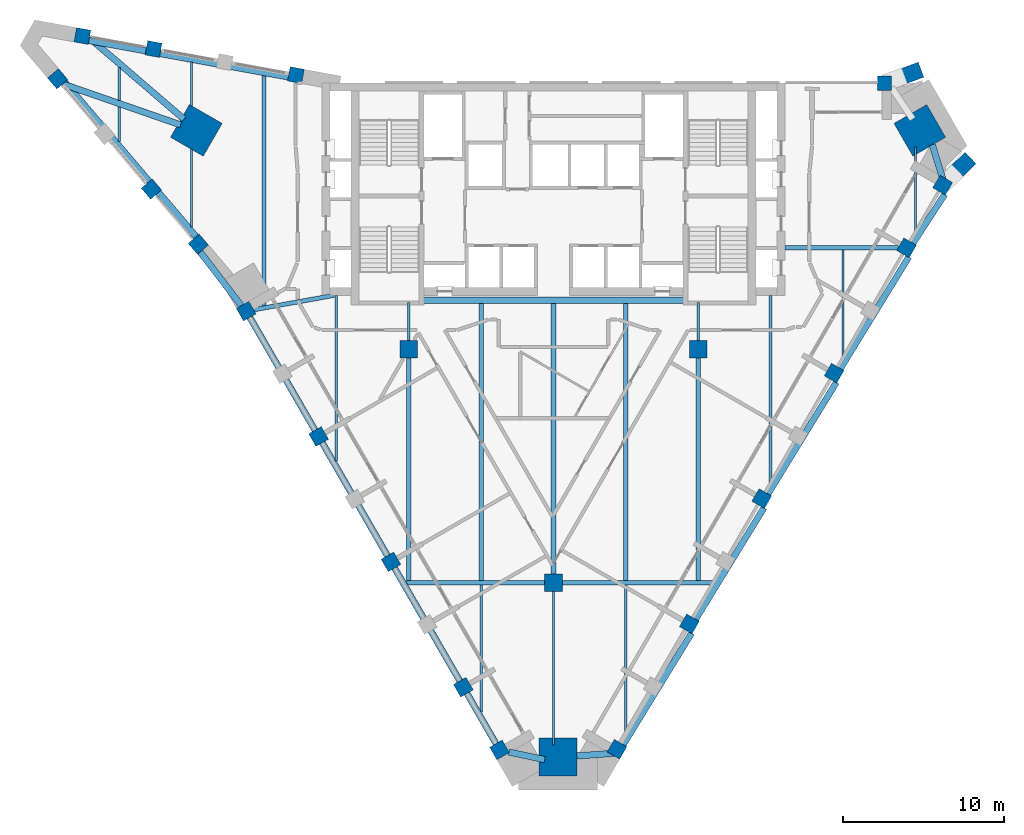
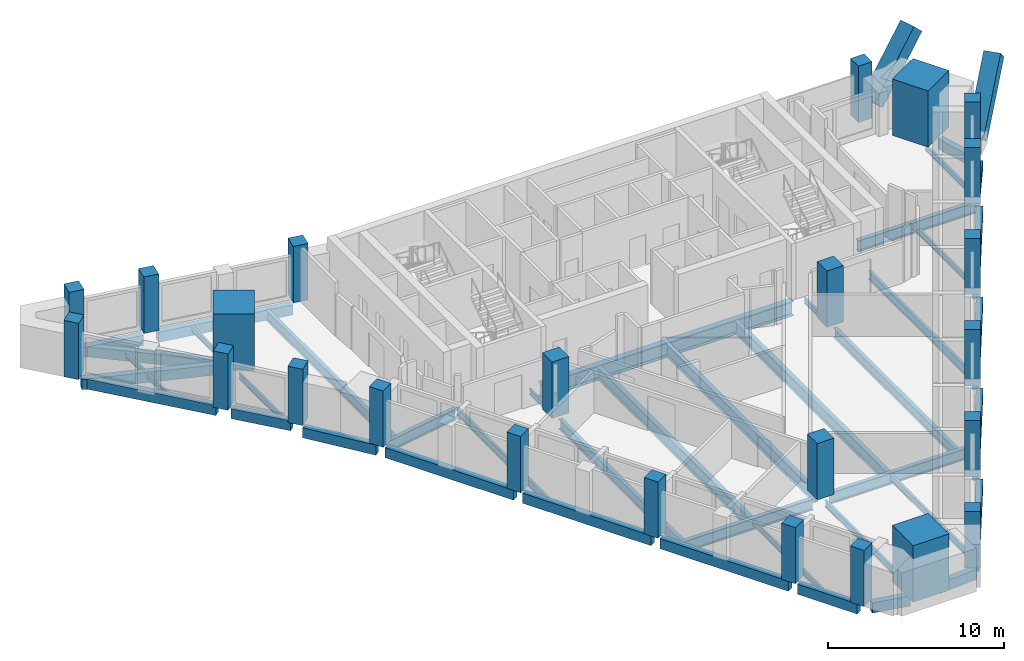
# One storey, part 1 of 9: 43 beams, 26 columns.
"""IFC4 building model written with IfcOpenShell, lengths in metres."""

from ifc_helpers import new_model, si_unit, direction, frame, origin, origin_2d, place, context, subcontext, project, spatial, rectangle, i_section, extrude, material, material_profile, profile_set, type_object, element, save


model = new_model("IFC4")

# Units and contexts
model_context = context("Model", 3, precision=1e-05, world=origin(), true_north=direction((0.0, 1.0)))
body_context = subcontext(model_context, "Body", "Model", "MODEL_VIEW")
ifc_project = project(units=[si_unit("LENGTHUNIT", "METRE"), si_unit("AREAUNIT", "SQUARE_METRE"), si_unit("VOLUMEUNIT", "CUBIC_METRE"), si_unit("PLANEANGLEUNIT", "RADIAN"), si_unit("MASSUNIT", "GRAM", prefix="KILO")], contexts=[model_context])

# Site, building, storey
site_placement = place(None, origin())
site = spatial("IfcSite", under=ifc_project, at=site_placement, CompositionType="ELEMENT")
building_placement = place(site_placement, origin())
building = spatial("IfcBuilding", under=site, at=building_placement, Name="Calabash Gate Tower", CompositionType="ELEMENT")
storey_placement = place(building_placement, frame((0.0, 0.0, 231.5)))
storey = spatial("IfcBuildingStorey", under=building, at=storey_placement, Name="L55", CompositionType="ELEMENT", Elevation=231.5)

# Columns
ifc_material_1 = material(Name="Concrete C60/75", Category="concrete")
ifc_material_profile_1 = material_profile(ifc_material_1, rectangle(XDim=1.10009765625, YDim=1.10009765625, at=origin_2d()))
ifc_profile_set_1 = profile_set([ifc_material_profile_1], Name="Concrete C60/75")
column_type_1 = type_object("IfcColumnType", Name="Interior column RC 1100x1100 Concrete C60/75", PredefinedType="COLUMN", material=ifc_profile_set_1)
for number, where, z_axis, x_axis, name in (
    (1, (-9.0, 2.5, 0.0), (0.0, 0.0, 1.0), (1.0, 0.0, 0.0), "Interior column L55 I0"),
    (2, (9.0, 2.5, 0.0), (0.0, 0.0, 1.0), (1.0, 0.0, 0.0), "Interior column L55 I1"),
    (3, (0.0, -12.0, 0.0), (0.0, 0.0, 1.0), (1.0, 0.0, 0.0), "Interior column L55 I2"),
):
    element("IfcColumn", number, at=place(storey_placement, frame(where, z_axis=z_axis, x_axis=x_axis)), inside=storey, type_object=column_type_1, Name=name, PredefinedType="COLUMN", context=body_context, shape_type="SweptSolid", body=[
        extrude(rectangle(XDim=1.10009765625, YDim=1.10009765625, at=origin_2d()), origin(), (0.0, 0.0, 1.0), 3.89990234375),
    ])
ifc_material_2 = material(Name="Concrete C70/85", Category="concrete")
ifc_material_profile_2 = material_profile(ifc_material_2, rectangle(XDim=2.35009765625, YDim=2.35009765625, at=origin_2d()))
ifc_profile_set_2 = profile_set([ifc_material_profile_2], Name="Concrete C70/85")
column_type_2 = type_object("IfcColumnType", Name="Mega column RC 2350x2350 Concrete C70/85", PredefinedType="COLUMN", material=ifc_profile_set_2)
for number, where, z_axis, x_axis, name in (
    (4, (-22.2060546875, 16.116943359375, 0.0), (0.0, 0.0, 1.0), (0.866025412511, -0.499999984885, 0.0), "Mega column L55 NW"),
    (5, (22.77392578125, 16.116943359375, 0.0), (0.0, 0.0, 1.0), (-0.866025412511, -0.499999984885, 0.0), "Mega column L55 NE"),
    (6, (0.283935546875, -22.8369140625, 0.0), (0.0, 0.0, 1.0), (0.0, 1.0, 0.0), "Mega column L55 S"),
):
    element("IfcColumn", number, at=place(storey_placement, frame(where, z_axis=z_axis, x_axis=x_axis)), inside=storey, type_object=column_type_2, Name=name, PredefinedType="COLUMN", context=body_context, shape_type="SweptSolid", body=[
        extrude(rectangle(XDim=2.35009765625, YDim=2.35009765625, at=origin_2d()), origin(), (0.0, 0.0, 1.0), 3.89990234375),
    ])
ifc_material_3 = material(Name="Concrete C60/75", Category="concrete")
ifc_material_profile_3 = material_profile(ifc_material_3, rectangle(XDim=0.89990234375, YDim=0.89990234375, at=origin_2d()))
ifc_profile_set_3 = profile_set([ifc_material_profile_3], Name="Concrete C60/75")
column_type_3 = type_object("IfcColumnType", Name="Perimeter column RC 900x900 Concrete C60/75", PredefinedType="COLUMN", material=ifc_profile_set_3)
for number, where, z_axis, x_axis, name in (
    (7, (-19.10693359375, 4.8779296875, 0.0), (0.0, 0.0, 1.0), (0.5, -0.866025403784, 0.0), "Perimeter column L55 P00"),
    (8, (-14.60693359375, -2.9169921875, 0.0), (0.0, 0.0, 1.0), (0.5, -0.866025403784, 0.0), "Perimeter column L55 P01"),
    (9, (-10.10693359375, -10.7109375, 0.0), (0.0, 0.0, 1.0), (0.5, -0.866025403784, 0.0), "Perimeter column L55 P02"),
    (10, (-5.60693359375, -18.5029296875, 0.0), (0.0, 0.0, 1.0), (0.5, -0.866025403784, 0.0), "Perimeter column L55 P03"),
    (11, (-3.35693359375, -22.402099609375, 0.0), (0.0, 0.0, 1.0), (0.5, -0.866025403784, 0.0), "Perimeter column L55 P25"),
    (12, (3.946044921875, -22.363037109375, 0.0), (0.0, 0.0, 1.0), (0.5, 0.866025403784, 0.0), "Perimeter column L55 P08"),
    (13, (8.446044921875, -14.571044921875, 0.0), (0.0, 0.0, 1.0), (0.5, 0.866025403784, 0.0), "Perimeter column L55 P09"),
    (14, (12.946044921875, -6.77587890625, 0.0), (0.0, 0.0, 1.0), (0.5, 0.866025403784, 0.0), "Perimeter column L55 P10"),
    (15, (17.446044921875, 1.01806640625, 0.0), (0.0, 0.0, 1.0), (0.5, 0.866025403784, 0.0), "Perimeter column L55 P11"),
    (16, (21.946044921875, 8.81201171875, 0.0), (0.0, 0.0, 1.0), (0.5, 0.866025403784, 0.0), "Perimeter column L55 P12"),
    (17, (24.196044921875, 12.708984375, 0.0), (0.0, 0.0, 1.0), (0.5, 0.866025403784, 0.0), "Perimeter column L55 P13"),
    (18, (20.576904296875, 19.052978515625, 0.0), (0.0, 0.0, 1.0), (-1.0, 0.0, 0.0), "Perimeter column L55 P24"),
    (19, (-16.012939453125, 19.551025390625, 0.0), (0.0, 0.0, 1.0), (-0.983669930074, 0.179981856499, 0.0), "Perimeter column L55 P31"),
    (20, (-24.865966796875, 21.1708984375, 0.0), (0.0, 0.0, 1.0), (-0.983669930074, 0.179981856499, 0.0), "Perimeter column L55 P32"),
    (21, (-29.29296875, 21.97998046875, 0.0), (0.0, 0.0, 1.0), (-0.983669930074, 0.179981856499, 0.0), "Perimeter column L55 P33"),
    (22, (-30.827880859375, 19.322021484375, 0.0), (0.0, 0.0, 1.0), (0.647703824985, -0.761892220133, 0.0), "Perimeter column L55 P34"),
    (23, (-24.998046875, 12.467041015625, 0.0), (0.0, 0.0, 1.0), (0.647703824985, -0.761892220133, 0.0), "Perimeter column L55 P20"),
    (24, (-22.083984375, 9.037109375, 0.0), (0.0, 0.0, 1.0), (0.647703824985, -0.761892220133, 0.0), "Perimeter column L55 P35"),
):
    element("IfcColumn", number, at=place(storey_placement, frame(where, z_axis=z_axis, x_axis=x_axis)), inside=storey, type_object=column_type_3, Name=name, PredefinedType="COLUMN", context=body_context, shape_type="SweptSolid", body=[
        extrude(rectangle(XDim=0.89990234375, YDim=0.89990234375, at=origin_2d()), origin(), (0.0, 0.0, 1.0), 3.89990234375),
    ])
ifc_material_4 = material(Name="Concrete C80/95", Category="concrete")
ifc_material_profile_4 = material_profile(ifc_material_4, rectangle(XDim=1.0, YDim=1.0, at=origin_2d()))
ifc_profile_set_4 = profile_set([ifc_material_profile_4], Name="Concrete C80/95")
column_type_4 = type_object("IfcColumnType", Name="Prow kicker column RC 1000x1000 Concrete C80/95", PredefinedType="COLUMN", material=ifc_profile_set_4)
column_1_placement = place(storey_placement, frame((24.864013671875, 13.361083984375, 0.458984375), z_axis=(0.514449156183, 0.501518833954, 0.695572372146), x_axis=(-0.498063349986, -0.485544873614, 0.718456035612)))
element("IfcColumn", 25, at=column_1_placement, inside=storey, type_object=column_type_4, Name="Prow kicker column L55 KP37", PredefinedType="COLUMN", context=body_context, shape_type="SweptSolid", body=[
    extrude(rectangle(XDim=1.0, YDim=1.0, at=origin_2d()), origin(), (0.0, 0.0, 1.0), 4.94677734375),
])
column_2_placement = place(storey_placement, frame((21.47802734375, 19.384033203125, 0.45703125), z_axis=(0.666578557843, 0.245155942303, 0.703968458227), x_axis=(-0.660700706042, -0.242994171151, 0.710231236867)))
element("IfcColumn", 26, at=column_2_placement, inside=storey, type_object=column_type_4, Name="Prow kicker column L55 KP38", PredefinedType="COLUMN", context=body_context, shape_type="SweptSolid", body=[
    extrude(rectangle(XDim=1.0, YDim=1.0, at=origin_2d()), origin(), (0.0, 0.0, 1.0), 4.890625),
])

# Beams
ifc_material_5 = material(Name="Concrete C50/60", Category="concrete")
ifc_material_profile_5 = material_profile(ifc_material_5, rectangle(XDim=0.39990234375, YDim=0.699951171875, at=origin_2d()))
ifc_profile_set_5 = profile_set([ifc_material_profile_5], Name="Concrete C50/60")
beam_type_1 = type_object("IfcBeamType", Name="Edge beam RC 400x700 Concrete C50/60", PredefinedType="BEAM", material=ifc_profile_set_5)
beam_1_placement = place(storey_placement, frame((-14.39306640625, -3.282958984375, -0.52001953125), z_axis=(0.499782711929, -0.86615081877, 0.0), x_axis=(0.86615081877, 0.499782711929, 0.0)))
element("IfcBeam", 27, at=beam_1_placement, inside=storey, type_object=beam_type_1, Name="Edge beam L55 1", PredefinedType="BEAM", context=body_context, shape_type="SweptSolid", body=[
    extrude(rectangle(XDim=0.39990234375, YDim=0.699951171875, at=origin_2d()), origin(), (0.0, 0.0, 1.0), 8.417724609375),
])
beam_2_placement = place(storey_placement, frame((-9.89306640625, -11.0791015625, -0.52001953125), z_axis=(0.499895729157, -0.866085596215, 0.0), x_axis=(0.866085596215, 0.499895729157, 0.0)))
element("IfcBeam", 28, at=beam_2_placement, inside=storey, type_object=beam_type_1, Name="Edge beam L55 2", PredefinedType="BEAM", context=body_context, shape_type="SweptSolid", body=[
    extrude(rectangle(XDim=0.39990234375, YDim=0.699951171875, at=origin_2d()), origin(), (0.0, 0.0, 1.0), 8.415771484375),
])
beam_3_placement = place(storey_placement, frame((-5.39306640625, -18.873046875, -0.52001953125), z_axis=(0.499976213158, -0.866039136689, 0.0), x_axis=(0.866039136689, 0.499976213158, 0.0)))
element("IfcBeam", 29, at=beam_3_placement, inside=storey, type_object=beam_type_1, Name="Edge beam L55 3", PredefinedType="BEAM", context=body_context, shape_type="SweptSolid", body=[
    extrude(rectangle(XDim=0.39990234375, YDim=0.699951171875, at=origin_2d()), origin(), (0.0, 0.0, 1.0), 3.914306640625),
])
beam_4_placement = place(storey_placement, frame((-2.780029296875, -22.533935546875, -0.52001953125), z_axis=(0.978365528321, -0.206883766868, 0.0), x_axis=(0.206883766868, 0.978365528321, 0.0)))
element("IfcBeam", 30, at=beam_4_placement, inside=storey, type_object=beam_type_1, Name="Edge beam L55 4", PredefinedType="BEAM", context=body_context, shape_type="SweptSolid", body=[
    extrude(rectangle(XDim=0.39990234375, YDim=0.699951171875, at=origin_2d()), origin(), (0.0, 0.0, 1.0), 2.2822265625),
])
beam_5_placement = place(storey_placement, frame((1.447021484375, -22.777099609375, -0.52001953125), z_axis=(0.997431969311, 0.071620294589, 0.0), x_axis=(-0.071620294589, 0.997431969311, 0.0)))
element("IfcBeam", 31, at=beam_5_placement, inside=storey, type_object=beam_type_1, Name="Edge beam L55 5", PredefinedType="BEAM", context=body_context, shape_type="SweptSolid", body=[
    extrude(rectangle(XDim=0.39990234375, YDim=0.699951171875, at=origin_2d()), origin(), (0.0, 0.0, 1.0), 2.556640625),
])
beam_6_placement = place(storey_placement, frame((4.323974609375, -22.089111328125, -0.52001953125), z_axis=(0.522633729228, 0.852557320696, 0.0), x_axis=(-0.852557320696, 0.522633729228, 0.0)))
element("IfcBeam", 32, at=beam_6_placement, inside=storey, type_object=beam_type_1, Name="Edge beam L55 6", PredefinedType="BEAM", context=body_context, shape_type="SweptSolid", body=[
    extrude(rectangle(XDim=0.39990234375, YDim=0.699951171875, at=origin_2d()), origin(), (0.0, 0.0, 1.0), 8.147216796875),
])
beam_7_placement = place(storey_placement, frame((8.823974609375, -14.2939453125, -0.52001953125), z_axis=(0.522700496269, 0.852516387643, 0.0), x_axis=(-0.852516387643, 0.522700496269, 0.0)))
element("IfcBeam", 33, at=beam_7_placement, inside=storey, type_object=beam_type_1, Name="Edge beam L55 7", PredefinedType="BEAM", context=body_context, shape_type="SweptSolid", body=[
    extrude(rectangle(XDim=0.39990234375, YDim=0.699951171875, at=origin_2d()), origin(), (0.0, 0.0, 1.0), 8.146240234375),
])
beam_8_placement = place(storey_placement, frame((13.323974609375, -6.5, -0.52001953125), z_axis=(0.522580325568, 0.852590055847, 0.0), x_axis=(-0.852590055847, 0.522580325568, 0.0)))
element("IfcBeam", 34, at=beam_8_placement, inside=storey, type_object=beam_type_1, Name="Edge beam L55 8", PredefinedType="BEAM", context=body_context, shape_type="SweptSolid", body=[
    extrude(rectangle(XDim=0.39990234375, YDim=0.699951171875, at=origin_2d()), origin(), (0.0, 0.0, 1.0), 8.148193359375),
])
beam_9_placement = place(storey_placement, frame((17.823974609375, 1.2939453125, -0.52001953125), z_axis=(0.522633729228, 0.852557320696, 0.0), x_axis=(-0.852557320696, 0.522633729228, 0.0)))
element("IfcBeam", 35, at=beam_9_placement, inside=storey, type_object=beam_type_1, Name="Edge beam L55 9", PredefinedType="BEAM", context=body_context, shape_type="SweptSolid", body=[
    extrude(rectangle(XDim=0.39990234375, YDim=0.699951171875, at=origin_2d()), origin(), (0.0, 0.0, 1.0), 8.147216796875),
])
beam_10_placement = place(storey_placement, frame((22.333984375, 9.0830078125, -0.52001953125), z_axis=(0.544917784285, 0.838489480178, 0.0), x_axis=(-0.838489480178, 0.544917784285, 0.0)))
element("IfcBeam", 36, at=beam_10_placement, inside=storey, type_object=beam_type_1, Name="Edge beam L55 10", PredefinedType="BEAM", context=body_context, shape_type="SweptSolid", body=[
    extrude(rectangle(XDim=0.39990234375, YDim=0.699951171875, at=origin_2d()), origin(), (0.0, 0.0, 1.0), 3.6484375),
])
beam_11_placement = place(storey_placement, frame((24.341064453125, 12.64892578125, -0.52001953125), z_axis=(-0.294620568373, 0.955614315868, 0.0), x_axis=(-0.955614315868, -0.294620568373, 0.0)))
element("IfcBeam", 37, at=beam_11_placement, inside=storey, type_object=beam_type_1, Name="Edge beam L55 11", PredefinedType="BEAM", context=body_context, shape_type="SweptSolid", body=[
    extrude(rectangle(XDim=0.39990234375, YDim=0.699951171875, at=origin_2d()), origin(), (0.0, 0.0, 1.0), 2.69482421875),
])
beam_12_placement = place(storey_placement, frame((-16.491943359375, 19.43701171875, -0.52001953125), z_axis=(-0.983710376503, 0.179760660767, 0.0), x_axis=(-0.179760660767, -0.983710376503, 0.0)))
element("IfcBeam", 38, at=beam_12_placement, inside=storey, type_object=beam_type_1, Name="Edge beam L55 13", PredefinedType="BEAM", context=body_context, shape_type="SweptSolid", body=[
    extrude(rectangle(XDim=0.39990234375, YDim=0.699951171875, at=origin_2d()), origin(), (0.0, 0.0, 1.0), 8.099853515625),
])
beam_13_placement = place(storey_placement, frame((-25.343017578125, 21.056884765625, -0.52001953125), z_axis=(-0.983780846892, 0.179374594879, 0.0), x_axis=(-0.179374594879, -0.983780846892, 0.0)))
element("IfcBeam", 39, at=beam_13_placement, inside=storey, type_object=beam_type_1, Name="Edge beam L55 14", PredefinedType="BEAM", context=body_context, shape_type="SweptSolid", body=[
    extrude(rectangle(XDim=0.39990234375, YDim=0.699951171875, at=origin_2d()), origin(), (0.0, 0.0, 1.0), 3.601318359375),
])
beam_14_placement = place(storey_placement, frame((-28.873046875, 21.883056640625, -0.52001953125), z_axis=(0.758517949113, -0.651652147141, 0.0), x_axis=(0.651652147141, 0.758517949113, 0.0)))
element("IfcBeam", 40, at=beam_14_placement, inside=storey, type_object=beam_type_1, Name="Edge beam L55 15", PredefinedType="BEAM", context=body_context, shape_type="SweptSolid", body=[
    extrude(rectangle(XDim=0.39990234375, YDim=0.699951171875, at=origin_2d()), origin(), (0.0, 0.0, 1.0), 7.7744140625),
])
beam_15_placement = place(storey_placement, frame((-23.18408203125, 16.45703125, -0.52001953125), z_axis=(-0.944686766609, 0.3279739517, 0.0), x_axis=(-0.3279739517, -0.944686766609, 0.0)))
element("IfcBeam", 41, at=beam_15_placement, inside=storey, type_object=beam_type_1, Name="Edge beam L55 16", PredefinedType="BEAM", context=body_context, shape_type="SweptSolid", body=[
    extrude(rectangle(XDim=0.39990234375, YDim=0.699951171875, at=origin_2d()), origin(), (0.0, 0.0, 1.0), 7.778076171875),
])
beam_16_placement = place(storey_placement, frame((-30.384033203125, 19.10888671875, -0.52001953125), z_axis=(0.647777896435, -0.761829243919, 0.0), x_axis=(0.761829243919, 0.647777896435, 0.0)))
element("IfcBeam", 42, at=beam_16_placement, inside=storey, type_object=beam_type_1, Name="Edge beam L55 17", PredefinedType="BEAM", context=body_context, shape_type="SweptSolid", body=[
    extrude(rectangle(XDim=0.39990234375, YDim=0.699951171875, at=origin_2d()), origin(), (0.0, 0.0, 1.0), 8.10009765625),
])
beam_17_placement = place(storey_placement, frame((-24.553955078125, 12.251953125, -0.52001953125), z_axis=(0.647579511056, -0.761997885076, 0.0), x_axis=(0.761997885076, 0.647579511056, 0.0)))
element("IfcBeam", 43, at=beam_17_placement, inside=storey, type_object=beam_type_1, Name="Edge beam L55 18", PredefinedType="BEAM", context=body_context, shape_type="SweptSolid", body=[
    extrude(rectangle(XDim=0.39990234375, YDim=0.699951171875, at=origin_2d()), origin(), (0.0, 0.0, 1.0), 3.599609375),
])
beam_18_placement = place(storey_placement, frame((-21.972900390625, 8.56689453125, -0.52001953125), z_axis=(0.607868337106, -0.794037835839, 0.0), x_axis=(0.794037835839, 0.607868337106, 0.0)))
element("IfcBeam", 44, at=beam_18_placement, inside=storey, type_object=beam_type_1, Name="Edge beam L55 19", PredefinedType="BEAM", context=body_context, shape_type="SweptSolid", body=[
    extrude(rectangle(XDim=0.39990234375, YDim=0.699951171875, at=origin_2d()), origin(), (0.0, 0.0, 1.0), 4.505859375),
])
beam_19_placement = place(storey_placement, frame((-18.89306640625, 4.510009765625, -0.52001953125), z_axis=(0.499832936549, -0.86612183643, 0.0), x_axis=(0.86612183643, 0.499832936549, 0.0)))
element("IfcBeam", 45, at=beam_19_placement, inside=storey, type_object=beam_type_1, Name="Edge beam L55 20", PredefinedType="BEAM", context=body_context, shape_type="SweptSolid", body=[
    extrude(rectangle(XDim=0.39990234375, YDim=0.699951171875, at=origin_2d()), origin(), (0.0, 0.0, 1.0), 8.4169921875),
])
ifc_material_6 = material(Name="Steel ASTM A992 Gr50", Category="steel")
ifc_material_profile_6 = material_profile(ifc_material_6, i_section(OverallWidth=0.1396484375, OverallDepth=0.398681640625, WebThickness=0.00634765625, FlangeThickness=0.0087890625, FilletRadius=0.01025390625, at=origin_2d()))
ifc_profile_set_6 = profile_set([ifc_material_profile_6], Name="Steel ASTM A992 Gr50")
beam_type_2 = type_object("IfcBeamType", Name="Floor beam W16x26 ASTM A992 Gr50", PredefinedType="BEAM", material=ifc_profile_set_6)
beam_20_placement = place(storey_placement, frame((-27.0, 15.416015625, -0.368896484375), z_axis=(0.0, 1.0, 0.0), x_axis=(-1.0, 0.0, 0.0)))
element("IfcBeam", 46, at=beam_20_placement, inside=storey, type_object=beam_type_2, Name="Floor beam L55 1", PredefinedType="BEAM", context=body_context, shape_type="SweptSolid", body=[
    extrude(i_section(OverallWidth=0.1396484375, OverallDepth=0.398681640625, WebThickness=0.00634765625, FlangeThickness=0.0087890625, FilletRadius=0.01025390625, at=origin_2d()), origin(), (0.0, 0.0, 1.0), 2.1650390625),
])
beam_21_placement = place(storey_placement, frame((-27.0, 17.9609375, -0.368896484375), z_axis=(0.0, 1.0, 0.0), x_axis=(-1.0, 0.0, 0.0)))
element("IfcBeam", 47, at=beam_21_placement, inside=storey, type_object=beam_type_2, Name="Floor beam L55 2", PredefinedType="BEAM", context=body_context, shape_type="SweptSolid", body=[
    extrude(i_section(OverallWidth=0.1396484375, OverallDepth=0.398681640625, WebThickness=0.00634765625, FlangeThickness=0.0087890625, FilletRadius=0.01025390625, at=origin_2d()), origin(), (0.0, 0.0, 1.0), 2.071044921875),
])
beam_22_placement = place(storey_placement, frame((-22.5, 10.1220703125, -0.368896484375), z_axis=(0.0, 1.0, 0.0), x_axis=(-1.0, 0.0, 0.0)))
element("IfcBeam", 48, at=beam_22_placement, inside=storey, type_object=beam_type_2, Name="Floor beam L55 3", PredefinedType="BEAM", context=body_context, shape_type="SweptSolid", body=[
    extrude(i_section(OverallWidth=0.1396484375, OverallDepth=0.398681640625, WebThickness=0.00634765625, FlangeThickness=0.0087890625, FilletRadius=0.01025390625, at=origin_2d()), origin(), (0.0, 0.0, 1.0), 4.830810546875),
])
beam_23_placement = place(storey_placement, frame((-22.5, 17.6201171875, -0.368896484375), z_axis=(0.0, 1.0, 0.0), x_axis=(-1.0, 0.0, 0.0)))
element("IfcBeam", 49, at=beam_23_placement, inside=storey, type_object=beam_type_2, Name="Floor beam L55 4", PredefinedType="BEAM", context=body_context, shape_type="SweptSolid", body=[
    extrude(i_section(OverallWidth=0.1396484375, OverallDepth=0.398681640625, WebThickness=0.00634765625, FlangeThickness=0.0087890625, FilletRadius=0.01025390625, at=origin_2d()), origin(), (0.0, 0.0, 1.0), 2.742919921875),
])
beam_24_placement = place(storey_placement, frame((-9.0, 3.050048828125, -0.368896484375), z_axis=(0.0, 1.0, 0.0), x_axis=(-1.0, 0.0, 0.0)))
element("IfcBeam", 50, at=beam_24_placement, inside=storey, type_object=beam_type_2, Name="Floor beam L55 8", PredefinedType="BEAM", context=body_context, shape_type="SweptSolid", body=[
    extrude(i_section(OverallWidth=0.1396484375, OverallDepth=0.398681640625, WebThickness=0.00634765625, FlangeThickness=0.0087890625, FilletRadius=0.01025390625, at=origin_2d()), origin(), (0.0, 0.0, 1.0), 2.35302734375),
])
beam_25_placement = place(storey_placement, frame((-4.5, -20.053955078125, -0.368896484375), z_axis=(0.0, 1.0, 0.0), x_axis=(-1.0, 0.0, 0.0)))
element("IfcBeam", 51, at=beam_25_placement, inside=storey, type_object=beam_type_2, Name="Floor beam L55 9", PredefinedType="BEAM", context=body_context, shape_type="SweptSolid", body=[
    extrude(i_section(OverallWidth=0.1396484375, OverallDepth=0.398681640625, WebThickness=0.00634765625, FlangeThickness=0.0087890625, FilletRadius=0.01025390625, at=origin_2d()), origin(), (0.0, 0.0, 1.0), 7.9208984375),
])
beam_26_placement = place(storey_placement, frame((9.0, 3.050048828125, -0.368896484375), z_axis=(0.0, 1.0, 0.0), x_axis=(-1.0, 0.0, 0.0)))
element("IfcBeam", 52, at=beam_26_placement, inside=storey, type_object=beam_type_2, Name="Floor beam L55 16", PredefinedType="BEAM", context=body_context, shape_type="SweptSolid", body=[
    extrude(i_section(OverallWidth=0.1396484375, OverallDepth=0.398681640625, WebThickness=0.00634765625, FlangeThickness=0.0087890625, FilletRadius=0.01025390625, at=origin_2d()), origin(), (0.0, 0.0, 1.0), 2.35302734375),
])
beam_27_placement = place(storey_placement, frame((18.0, 1.947021484375, -0.368896484375), z_axis=(0.0, 1.0, 0.0), x_axis=(-1.0, 0.0, 0.0)))
element("IfcBeam", 53, at=beam_27_placement, inside=storey, type_object=beam_type_2, Name="Floor beam L55 18", PredefinedType="BEAM", context=body_context, shape_type="SweptSolid", body=[
    extrude(i_section(OverallWidth=0.1396484375, OverallDepth=0.398681640625, WebThickness=0.00634765625, FlangeThickness=0.0087890625, FilletRadius=0.01025390625, at=origin_2d()), origin(), (0.0, 0.0, 1.0), 6.73193359375),
])
beam_28_placement = place(storey_placement, frame((22.5, 9.679931640625, -0.368896484375), z_axis=(0.0, 1.0, 0.0), x_axis=(-1.0, 0.0, 0.0)))
element("IfcBeam", 54, at=beam_28_placement, inside=storey, type_object=beam_type_2, Name="Floor beam L55 19", PredefinedType="BEAM", context=body_context, shape_type="SweptSolid", body=[
    extrude(i_section(OverallWidth=0.1396484375, OverallDepth=0.398681640625, WebThickness=0.00634765625, FlangeThickness=0.0087890625, FilletRadius=0.01025390625, at=origin_2d()), origin(), (0.0, 0.0, 1.0), 5.4111328125),
])
ifc_material_7 = material(Name="Steel ASTM A992 Gr50", Category="steel")
ifc_material_profile_7 = material_profile(ifc_material_7, i_section(OverallWidth=0.15234375, OverallDepth=0.44970703125, WebThickness=0.007568359375, FlangeThickness=0.0107421875, FilletRadius=0.01025390625, at=origin_2d()))
ifc_profile_set_7 = profile_set([ifc_material_profile_7], Name="Steel ASTM A992 Gr50")
beam_type_3 = type_object("IfcBeamType", Name="Floor beam W18x35 ASTM A992 Gr50", PredefinedType="BEAM", material=ifc_profile_set_7)
beam_29_placement = place(storey_placement, frame((0.0, -22.093994140625, -0.39306640625), z_axis=(0.0, 1.0, 0.0), x_axis=(-1.0, 0.0, 0.0)))
element("IfcBeam", 55, at=beam_29_placement, inside=storey, type_object=beam_type_3, Name="Floor beam L55 11", PredefinedType="BEAM", context=body_context, shape_type="SweptSolid", body=[
    extrude(i_section(OverallWidth=0.15234375, OverallDepth=0.44970703125, WebThickness=0.007568359375, FlangeThickness=0.0107421875, FilletRadius=0.01025390625, at=origin_2d()), origin(), (0.0, 0.0, 1.0), 9.5439453125),
])
beam_30_placement = place(storey_placement, frame((4.5, -21.43701171875, -0.39306640625), z_axis=(0.0, 1.0, 0.0), x_axis=(-1.0, 0.0, 0.0)))
element("IfcBeam", 56, at=beam_30_placement, inside=storey, type_object=beam_type_3, Name="Floor beam L55 13", PredefinedType="BEAM", context=body_context, shape_type="SweptSolid", body=[
    extrude(i_section(OverallWidth=0.15234375, OverallDepth=0.44970703125, WebThickness=0.007568359375, FlangeThickness=0.0107421875, FilletRadius=0.01025390625, at=origin_2d()), origin(), (0.0, 0.0, 1.0), 9.303955078125),
])
ifc_material_8 = material(Name="Steel ASTM A992 Gr50", Category="steel")
ifc_material_profile_8 = material_profile(ifc_material_8, i_section(OverallWidth=0.166015625, OverallDepth=0.5283203125, WebThickness=0.009765625, FlangeThickness=0.013671875, FilletRadius=0.0126953125, at=origin_2d()))
ifc_profile_set_8 = profile_set([ifc_material_profile_8], Name="Steel ASTM A992 Gr50")
beam_type_4 = type_object("IfcBeamType", Name="Floor beam W21x50 ASTM A992 Gr50", PredefinedType="BEAM", material=ifc_profile_set_8)
beam_31_placement = place(storey_placement, frame((-13.5, -4.446044921875, -0.43408203125), z_axis=(0.0, 1.0, 0.0), x_axis=(-1.0, 0.0, 0.0)))
element("IfcBeam", 57, at=beam_31_placement, inside=storey, type_object=beam_type_4, Name="Floor beam L55 6", PredefinedType="BEAM", context=body_context, shape_type="SweptSolid", body=[
    extrude(i_section(OverallWidth=0.166015625, OverallDepth=0.5283203125, WebThickness=0.009765625, FlangeThickness=0.013671875, FilletRadius=0.0126953125, at=origin_2d()), origin(), (0.0, 0.0, 1.0), 10.299072265625),
])
ifc_material_9 = material(Name="Steel ASTM A992 Gr50", Category="steel")
ifc_material_profile_9 = material_profile(ifc_material_9, i_section(OverallWidth=0.1787109375, OverallDepth=0.60205078125, WebThickness=0.010986328125, FlangeThickness=0.014892578125, FilletRadius=0.0126953125, at=origin_2d()))
ifc_profile_set_9 = profile_set([ifc_material_profile_9], Name="Steel ASTM A992 Gr50")
beam_type_5 = type_object("IfcBeamType", Name="Floor beam W24x62 ASTM A992 Gr50", PredefinedType="BEAM", material=ifc_profile_set_9)
beam_32_placement = place(storey_placement, frame((13.5, -5.84912109375, -0.470947265625), z_axis=(0.0, 1.0, 0.0), x_axis=(-1.0, 0.0, 0.0)))
element("IfcBeam", 58, at=beam_32_placement, inside=storey, type_object=beam_type_5, Name="Floor beam L55 17", PredefinedType="BEAM", context=body_context, shape_type="SweptSolid", body=[
    extrude(i_section(OverallWidth=0.1787109375, OverallDepth=0.60205078125, WebThickness=0.010986328125, FlangeThickness=0.014892578125, FilletRadius=0.0126953125, at=origin_2d()), origin(), (0.0, 0.0, 1.0), 11.7021484375),
])
ifc_material_10 = material(Name="Steel ASTM A992 Gr50", Category="steel")
ifc_material_profile_10 = material_profile(ifc_material_10, i_section(OverallWidth=0.25390625, OverallDepth=0.67822265625, WebThickness=0.01171875, FlangeThickness=0.016357421875, FilletRadius=0.01513671875, at=origin_2d()))
ifc_profile_set_10 = profile_set([ifc_material_profile_10], Name="Steel ASTM A992 Gr50")
beam_type_6 = type_object("IfcBeamType", Name="Floor beam W27x84 ASTM A992 Gr50", PredefinedType="BEAM", material=ifc_profile_set_10)
beam_33_placement = place(storey_placement, frame((-18.0, 5.179931640625, -0.509033203125), z_axis=(0.0, 1.0, 0.0), x_axis=(-1.0, 0.0, 0.0)))
element("IfcBeam", 59, at=beam_33_placement, inside=storey, type_object=beam_type_6, Name="Floor beam L55 5", PredefinedType="BEAM", context=body_context, shape_type="SweptSolid", body=[
    extrude(i_section(OverallWidth=0.25390625, OverallDepth=0.67822265625, WebThickness=0.01171875, FlangeThickness=0.016357421875, FilletRadius=0.01513671875, at=origin_2d()), origin(), (0.0, 0.0, 1.0), 14.360107421875),
])
beam_34_placement = place(storey_placement, frame((-9.0, -11.8798828125, -0.509033203125), z_axis=(0.0, 1.0, 0.0), x_axis=(-1.0, 0.0, 0.0)))
element("IfcBeam", 60, at=beam_34_placement, inside=storey, type_object=beam_type_6, Name="Floor beam L55 7", PredefinedType="BEAM", context=body_context, shape_type="SweptSolid", body=[
    extrude(i_section(OverallWidth=0.25390625, OverallDepth=0.67822265625, WebThickness=0.01171875, FlangeThickness=0.016357421875, FilletRadius=0.01513671875, at=origin_2d()), origin(), (0.0, 0.0, 1.0), 13.829833984375),
])
beam_35_placement = place(storey_placement, frame((9.0, -11.866943359375, -0.509033203125), z_axis=(0.0, 1.0, 0.0), x_axis=(-1.0, 0.0, 0.0)))
element("IfcBeam", 61, at=beam_35_placement, inside=storey, type_object=beam_type_6, Name="Floor beam L55 15", PredefinedType="BEAM", context=body_context, shape_type="SweptSolid", body=[
    extrude(i_section(OverallWidth=0.25390625, OverallDepth=0.67822265625, WebThickness=0.01171875, FlangeThickness=0.016357421875, FilletRadius=0.01513671875, at=origin_2d()), origin(), (0.0, 0.0, 1.0), 13.81689453125),
])
ifc_material_11 = material(Name="Steel ASTM A992 Gr50", Category="steel")
ifc_material_profile_11 = material_profile(ifc_material_11, i_section(OverallWidth=0.2919921875, OverallDepth=0.845703125, WebThickness=0.015380859375, FlangeThickness=0.0244140625, FilletRadius=0.017822265625, at=origin_2d()))
ifc_profile_set_11 = profile_set([ifc_material_profile_11], Name="Steel ASTM A992 Gr50")
beam_type_7 = type_object("IfcBeamType", Name="Floor beam W33x141 ASTM A992 Gr50", PredefinedType="BEAM", material=ifc_profile_set_11)
beam_36_placement = place(storey_placement, frame((-4.5, -11.866943359375, -0.593017578125), z_axis=(0.0, 1.0, 0.0), x_axis=(-1.0, 0.0, 0.0)))
element("IfcBeam", 62, at=beam_36_placement, inside=storey, type_object=beam_type_7, Name="Floor beam L55 10", PredefinedType="BEAM", context=body_context, shape_type="SweptSolid", body=[
    extrude(i_section(OverallWidth=0.2919921875, OverallDepth=0.845703125, WebThickness=0.015380859375, FlangeThickness=0.0244140625, FilletRadius=0.017822265625, at=origin_2d()), origin(), (0.0, 0.0, 1.0), 17.218994140625),
])
beam_37_placement = place(storey_placement, frame((0.0, -11.449951171875, -0.593017578125), z_axis=(0.0, 1.0, 0.0), x_axis=(-1.0, 0.0, 0.0)))
element("IfcBeam", 63, at=beam_37_placement, inside=storey, type_object=beam_type_7, Name="Floor beam L55 12", PredefinedType="BEAM", context=body_context, shape_type="SweptSolid", body=[
    extrude(i_section(OverallWidth=0.2919921875, OverallDepth=0.845703125, WebThickness=0.015380859375, FlangeThickness=0.0244140625, FilletRadius=0.017822265625, at=origin_2d()), origin(), (0.0, 0.0, 1.0), 16.802001953125),
])
beam_38_placement = place(storey_placement, frame((4.5, -11.866943359375, -0.593017578125), z_axis=(0.0, 1.0, 0.0), x_axis=(-1.0, 0.0, 0.0)))
element("IfcBeam", 64, at=beam_38_placement, inside=storey, type_object=beam_type_7, Name="Floor beam L55 14", PredefinedType="BEAM", context=body_context, shape_type="SweptSolid", body=[
    extrude(i_section(OverallWidth=0.2919921875, OverallDepth=0.845703125, WebThickness=0.015380859375, FlangeThickness=0.0244140625, FilletRadius=0.017822265625, at=origin_2d()), origin(), (0.0, 0.0, 1.0), 17.218994140625),
])
ifc_material_12 = material(Name="Steel ASTM A992 Gr50", Category="steel")
ifc_material_profile_12 = material_profile(ifc_material_12, i_section(OverallWidth=0.2666015625, OverallDepth=0.77978515625, WebThickness=0.0166015625, FlangeThickness=0.030029296875, FilletRadius=0.0166015625, at=origin_2d()))
ifc_profile_set_12 = profile_set([ifc_material_profile_12], Name="Steel ASTM A992 Gr50")
beam_type_8 = type_object("IfcBeamType", Name="Girder W30x148 ASTM A992 Gr50", PredefinedType="BEAM", material=ifc_profile_set_12)
beam_39_placement = place(storey_placement, frame((-18.657958984375, 4.9580078125, -0.56005859375), z_axis=(0.984297088415, 0.176519805509, 0.0), x_axis=(-0.176519805509, 0.984297088415, 0.0)))
element("IfcBeam", 65, at=beam_39_placement, inside=storey, type_object=beam_type_8, Name="Girder L55 2", PredefinedType="BEAM", context=body_context, shape_type="SweptSolid", body=[
    extrude(i_section(OverallWidth=0.2666015625, OverallDepth=0.77978515625, WebThickness=0.0166015625, FlangeThickness=0.030029296875, FilletRadius=0.0166015625, at=origin_2d()), origin(), (0.0, 0.0, 1.0), 5.0869140625),
])
beam_40_placement = place(storey_placement, frame((22.1279296875, 8.81201171875, -0.56005859375), z_axis=(-1.0, 0.0, 0.0), x_axis=(0.0, -1.0, 0.0)))
element("IfcBeam", 66, at=beam_40_placement, inside=storey, type_object=beam_type_8, Name="Girder L55 3", PredefinedType="BEAM", context=body_context, shape_type="SweptSolid", body=[
    extrude(i_section(OverallWidth=0.2666015625, OverallDepth=0.77978515625, WebThickness=0.0166015625, FlangeThickness=0.030029296875, FilletRadius=0.0166015625, at=origin_2d()), origin(), (0.0, 0.0, 1.0), 7.72802734375),
])
beam_41_placement = place(storey_placement, frame((-9.153076171875, -12.0, -0.56005859375), z_axis=(1.0, 0.0, 0.0), x_axis=(0.0, 1.0, 0.0)))
element("IfcBeam", 67, at=beam_41_placement, inside=storey, type_object=beam_type_8, Name="Girder L55 4", PredefinedType="BEAM", context=body_context, shape_type="SweptSolid", body=[
    extrude(i_section(OverallWidth=0.2666015625, OverallDepth=0.77978515625, WebThickness=0.0166015625, FlangeThickness=0.030029296875, FilletRadius=0.0166015625, at=origin_2d()), origin(), (0.0, 0.0, 1.0), 8.60302734375),
])
beam_42_placement = place(storey_placement, frame((0.550048828125, -12.0, -0.56005859375), z_axis=(1.0, 0.0, 0.0), x_axis=(0.0, 1.0, 0.0)))
element("IfcBeam", 68, at=beam_42_placement, inside=storey, type_object=beam_type_8, Name="Girder L55 5", PredefinedType="BEAM", context=body_context, shape_type="SweptSolid", body=[
    extrude(i_section(OverallWidth=0.2666015625, OverallDepth=0.77978515625, WebThickness=0.0166015625, FlangeThickness=0.030029296875, FilletRadius=0.0166015625, at=origin_2d()), origin(), (0.0, 0.0, 1.0), 9.469970703125),
])
ifc_material_13 = material(Name="Steel ASTM A992 Gr50", Category="steel")
ifc_material_profile_13 = material_profile(ifc_material_13, i_section(OverallWidth=0.4013671875, OverallDepth=1.000732421875, WebThickness=0.01904296875, FlangeThickness=0.0361328125, FilletRadius=0.030029296875, at=origin_2d()))
ifc_profile_set_13 = profile_set([ifc_material_profile_13], Name="Steel ASTM A992 Gr50")
beam_type_9 = type_object("IfcBeamType", Name="Girder W40x249 ASTM A992 Gr50", PredefinedType="BEAM", material=ifc_profile_set_13)
beam_43_placement = place(storey_placement, frame((-8.25, 5.552978515625, -0.669921875), z_axis=(1.0, 0.0, 0.0), x_axis=(0.0, 1.0, 0.0)))
element("IfcBeam", 69, at=beam_43_placement, inside=storey, type_object=beam_type_9, Name="Girder L55 1", PredefinedType="BEAM", context=body_context, shape_type="SweptSolid", body=[
    extrude(i_section(OverallWidth=0.4013671875, OverallDepth=1.000732421875, WebThickness=0.01904296875, FlangeThickness=0.0361328125, FilletRadius=0.030029296875, at=origin_2d()), origin(), (0.0, 0.0, 1.0), 16.5),
])

save(model, "model.ifc")
